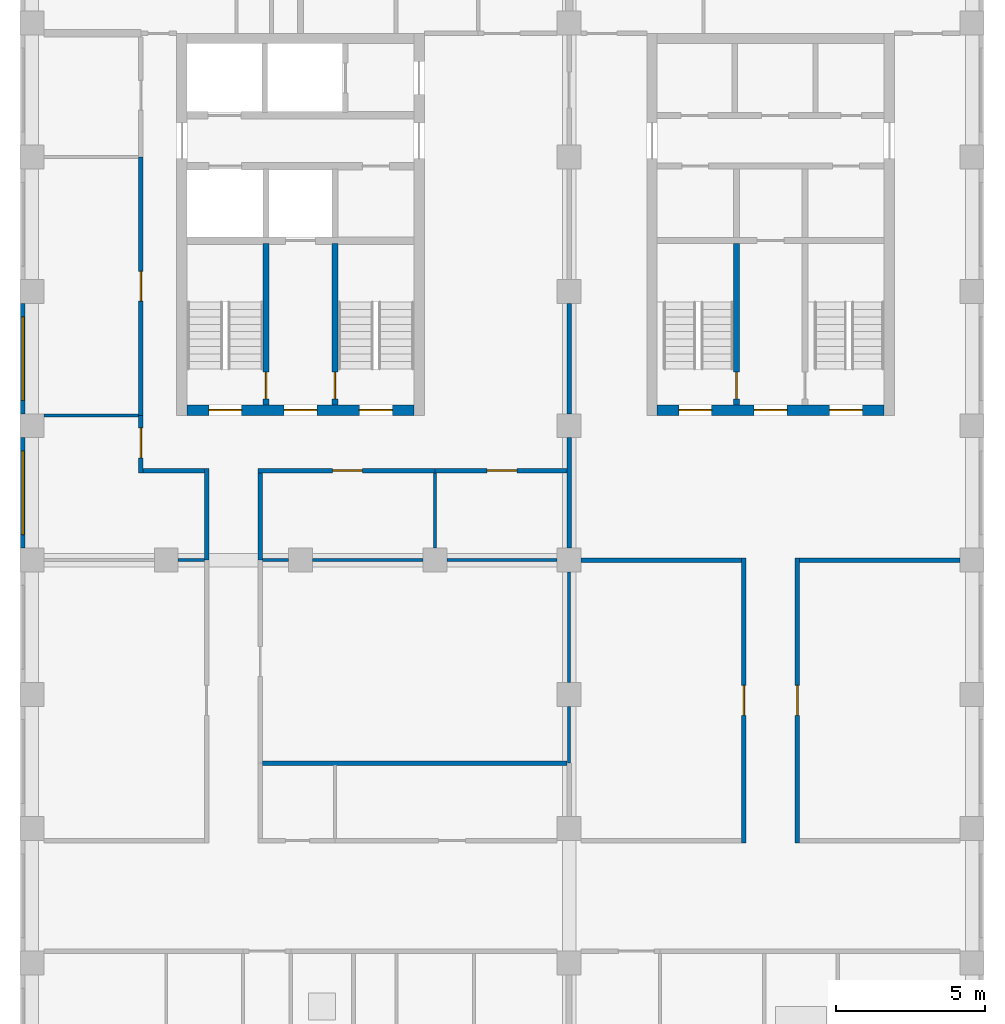
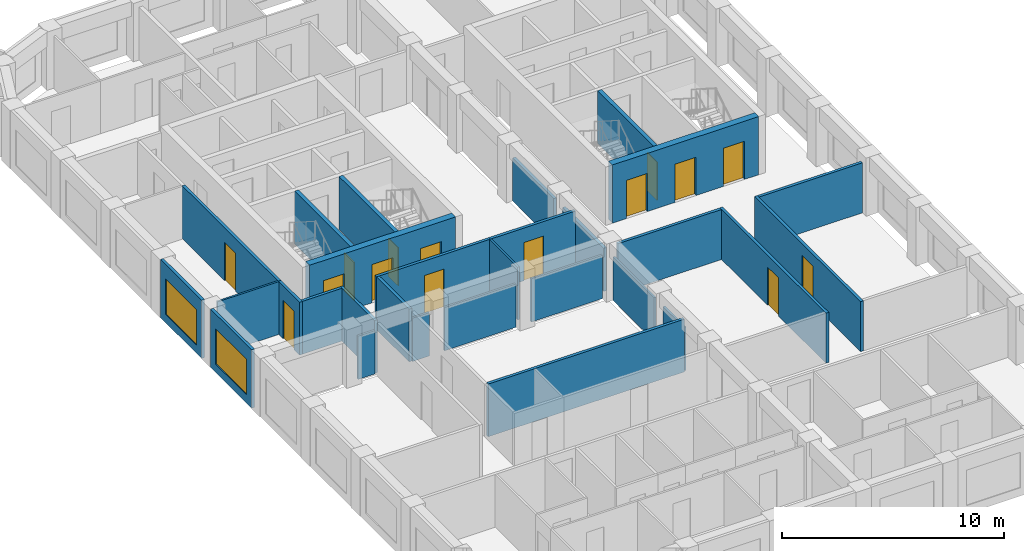
# One storey, part 4 of 10: 29 walls, 15 doors, 2 windows, 17 openings.
"""IFC4 building model written with IfcOpenShell, lengths in metres."""

from ifc_helpers import new_model, si_unit, direction, frame, frame_2d, origin, place, context, subcontext, project, spatial, rectangle, extrude, material, layer, layer_set, type_object, element, fill, save


model = new_model("IFC4")

# Units and contexts
model_context = context("Model", 3, precision=1e-05, world=origin(), true_north=direction((0.0, 1.0)))
body_context = subcontext(model_context, "Body", "Model", "MODEL_VIEW")
ifc_project = project(units=[si_unit("LENGTHUNIT", "METRE"), si_unit("AREAUNIT", "SQUARE_METRE"), si_unit("VOLUMEUNIT", "CUBIC_METRE"), si_unit("PLANEANGLEUNIT", "RADIAN"), si_unit("MASSUNIT", "GRAM", prefix="KILO")], contexts=[model_context])

# Site, building, storey
site_placement = place(None, origin())
site = spatial("IfcSite", under=ifc_project, at=site_placement, CompositionType="ELEMENT")
building_placement = place(site_placement, origin())
building = spatial("IfcBuilding", under=site, at=building_placement, Name="Girih Gate Residences", CompositionType="ELEMENT")
storey_placement = place(building_placement, frame((0.0, 0.0, 195.5)))
storey = spatial("IfcBuildingStorey", under=building, at=storey_placement, Name="L54", CompositionType="ELEMENT", Elevation=195.5)

# Walls
ifc_material_1 = material(Name="Gypsum board on steel studs", Category="steel")
ifc_layer_1 = layer(ifc_material_1, 0.14990234375)
ifc_layer_set_1 = layer_set([ifc_layer_1], Name="Compartment wall 150 mm")
wall_type_1 = type_object("IfcWallType", Name="Compartment wall 150 mm", PredefinedType="PARTITIONING", material=ifc_layer_set_1)
wall_1_placement = place(storey_placement, frame((7.72509765625, 15.699951171875, 0.0), z_axis=(0.0, 0.0, 1.0), x_axis=(1.0, 0.0, 0.0)))
element("IfcWall", 1, at=wall_1_placement, inside=storey, type_object=wall_type_1, Name="L54 partition", PredefinedType="PARTITIONING", context=body_context, shape_type="SweptSolid", body=[
    extrude(rectangle(XDim=10.199951171875, YDim=0.14990234375, at=frame_2d((5.10009765625, 0.0))), origin(), (0.0, 0.0, 1.0), 2.89990234375),
])
for number, where, z_axis, x_axis, name in (
    (2, (18.39990234375, 22.5, 0.0), (0.0, 0.0, 1.0), (1.0, 0.0, 0.0), "L54 partition"),
    (3, (25.72509765625, 22.5, 0.0), (0.0, 0.0, 1.0), (1.0, 0.0, 0.0), "L54 partition"),
):
    element("IfcWall", number, at=place(storey_placement, frame(where, z_axis=z_axis, x_axis=x_axis)), inside=storey, type_object=wall_type_1, Name=name, PredefinedType="PARTITIONING", context=body_context, shape_type="SweptSolid", body=[
        extrude(rectangle(XDim=5.375, YDim=0.14990234375, at=frame_2d((2.6875, 0.0))), origin(), (0.0, 0.0, 1.0), 2.75),
    ])
for number, where, z_axis, x_axis, name in (
    (4, (18.0, 27.39990234375, 0.0), (0.0, 0.0, 1.0), (0.0, 1.0, 0.0), "L54 partition"),
    (5, (18.0, 22.89990234375, 0.0), (0.0, 0.0, 1.0), (0.0, 1.0, 0.0), "L54 partition"),
):
    element("IfcWall", number, at=place(storey_placement, frame(where, z_axis=z_axis, x_axis=x_axis)), inside=storey, type_object=wall_type_1, Name=name, PredefinedType="PARTITIONING", context=body_context, shape_type="SweptSolid", body=[
        extrude(rectangle(XDim=3.7001953125, YDim=0.14990234375, at=frame_2d((1.85009765625, 0.0))), origin(), (0.0, 0.0, 1.0), 2.3798828125),
    ])

# Wall, opening, door
wall_2_placement = place(storey_placement, frame((23.85009765625, 13.02490234375, 0.0), z_axis=(0.0, 0.0, 1.0), x_axis=(0.0, 1.0, 0.0)))
wall_2 = element("IfcWall", 6, at=wall_2_placement, inside=storey, type_object=wall_type_1, Name="L54 partition", PredefinedType="PARTITIONING", context=body_context, shape_type="SweptSolid", body=[
    extrude(rectangle(XDim=9.550048828125, YDim=0.14990234375, at=frame_2d((4.77490234375, 0.0))), origin(), (0.0, 0.0, 1.0), 2.75),
])
opening_1_placement = place(wall_2_placement, frame((4.27490234375, 0.0, 0.0)))
opening_1 = element("IfcOpeningElement", 7, at=opening_1_placement, cuts=wall_2, Name="Opening A54-031", PredefinedType="OPENING", context=body_context, shape_type="SweptSolid", body=[
    extrude(rectangle(XDim=1.0, YDim=2.10009765625, at=frame_2d((0.5, 1.050048828125))), frame((0.0, 0.0849609375, 0.0), z_axis=(0.0, -1.0, 0.0), x_axis=(1.0, 0.0, 0.0)), (0.0, 0.0, 1.0), 0.169921875),
])
ifc_material_2 = material(Name="Timber, fire-rated core", Category="wood")
door_type_1 = type_object("IfcDoorType", Name="Amenity room door 1000x2100 FD30S", OperationType="NOTDEFINED", PredefinedType="DOOR", material=ifc_material_2)
door_1_placement = place(opening_1_placement, origin())
door_1 = element("IfcDoor", 8, at=door_1_placement, inside=storey, type_object=door_type_1, Name="Door A54-031", OperationType="SINGLE_SWING_RIGHT", OverallHeight=2.10009765625, OverallWidth=1.0, PredefinedType="DOOR", context=body_context, shape_type="SweptSolid", body=[
    extrude(rectangle(XDim=1.0, YDim=2.10009765625, at=frame_2d((0.5, 1.050048828125))), frame((0.0, 0.02490234375, 0.0), z_axis=(0.0, -1.0, 0.0), x_axis=(1.0, 0.0, 0.0)), (0.0, 0.0, 1.0), 0.050048828125),
])
fill(opening_1, door_1)

wall_3_placement = place(storey_placement, frame((25.64990234375, 22.574951171875, 0.0), z_axis=(0.0, 0.0, 1.0), x_axis=(0.0, -1.0, 0.0)))
wall_3 = element("IfcWall", 9, at=wall_3_placement, inside=storey, type_object=wall_type_1, Name="L54 partition", PredefinedType="PARTITIONING", context=body_context, shape_type="SweptSolid", body=[
    extrude(rectangle(XDim=9.550048828125, YDim=0.14990234375, at=frame_2d((4.77490234375, 0.0))), origin(), (0.0, 0.0, 1.0), 2.75),
])
opening_2_placement = place(wall_3_placement, frame((4.27490234375, 0.0, 0.0)))
opening_2 = element("IfcOpeningElement", 10, at=opening_2_placement, cuts=wall_3, Name="Opening A54-032", PredefinedType="OPENING", context=body_context, shape_type="SweptSolid", body=[
    extrude(rectangle(XDim=1.0, YDim=2.10009765625, at=frame_2d((0.5, 1.050048828125))), frame((0.0, 0.0849609375, 0.0), z_axis=(0.0, -1.0, 0.0), x_axis=(1.0, 0.0, 0.0)), (0.0, 0.0, 1.0), 0.169921875),
])
door_2_placement = place(opening_2_placement, origin())
door_2 = element("IfcDoor", 11, at=door_2_placement, inside=storey, type_object=door_type_1, Name="Door A54-032", OperationType="SINGLE_SWING_LEFT", OverallHeight=2.10009765625, OverallWidth=1.0, PredefinedType="DOOR", context=body_context, shape_type="SweptSolid", body=[
    extrude(rectangle(XDim=1.0, YDim=2.10009765625, at=frame_2d((0.5, 1.050048828125))), frame((0.0, 0.02490234375, 0.0), z_axis=(0.0, -1.0, 0.0), x_axis=(1.0, 0.0, 0.0)), (0.0, 0.0, 1.0), 0.050048828125),
])
fill(opening_2, door_2)

# Walls
wall_4_placement = place(storey_placement, frame((5.85009765625, 22.5, 0.0), z_axis=(0.0, 0.0, 1.0), x_axis=(0.0, 1.0, 0.0)))
element("IfcWall", 12, at=wall_4_placement, inside=storey, type_object=wall_type_1, Name="L54 partition", PredefinedType="PARTITIONING", context=body_context, shape_type="SweptSolid", body=[
    extrude(rectangle(XDim=3.074951171875, YDim=0.14990234375, at=frame_2d((1.53759765625, 0.0))), origin(), (0.0, 0.0, 1.0), 2.89990234375),
])
wall_5_placement = place(storey_placement, frame((3.72509765625, 25.5, 0.0), z_axis=(0.0, 0.0, 1.0), x_axis=(1.0, 0.0, 0.0)))
element("IfcWall", 13, at=wall_5_placement, inside=storey, type_object=wall_type_1, Name="L54 partition", PredefinedType="PARTITIONING", context=body_context, shape_type="SweptSolid", body=[
    extrude(rectangle(XDim=2.0498046875, YDim=0.14990234375, at=frame_2d((1.02490234375, 0.0))), origin(), (0.0, 0.0, 1.0), 2.89990234375),
])

# Wall, opening, door
wall_6_placement = place(storey_placement, frame((3.64990234375, 25.425048828125, 0.0), z_axis=(0.0, 0.0, 1.0), x_axis=(0.0, 1.0, 0.0)))
wall_6 = element("IfcWall", 14, at=wall_6_placement, inside=storey, type_object=wall_type_1, Name="L54 partition", PredefinedType="PARTITIONING", context=body_context, shape_type="SweptSolid", body=[
    extrude(rectangle(XDim=1.925048828125, YDim=0.14990234375, at=frame_2d((0.96240234375, 0.0))), origin(), (0.0, 0.0, 1.0), 2.89990234375),
])
opening_3_placement = place(wall_6_placement, frame((0.5, 0.0, 0.0)))
opening_3 = element("IfcOpeningElement", 15, at=opening_3_placement, cuts=wall_6, Name="Opening A54-035", PredefinedType="OPENING", context=body_context, shape_type="SweptSolid", body=[
    extrude(rectangle(XDim=1.0, YDim=2.10009765625, at=frame_2d((0.5, 1.050048828125))), frame((0.0, 0.0849609375, 0.0), z_axis=(0.0, -1.0, 0.0), x_axis=(1.0, 0.0, 0.0)), (0.0, 0.0, 1.0), 0.169921875),
])
door_3_placement = place(opening_3_placement, origin())
door_3 = element("IfcDoor", 16, at=door_3_placement, inside=storey, type_object=door_type_1, Name="Door A54-035", OperationType="SINGLE_SWING_RIGHT", OverallHeight=2.10009765625, OverallWidth=1.0, PredefinedType="DOOR", context=body_context, shape_type="SweptSolid", body=[
    extrude(rectangle(XDim=1.0, YDim=2.10009765625, at=frame_2d((0.5, 1.050048828125))), frame((0.0, 0.02490234375, 0.0), z_axis=(0.0, -1.0, 0.0), x_axis=(1.0, 0.0, 0.0)), (0.0, 0.0, 1.0), 0.050048828125),
])
fill(opening_3, door_3)

wall_7_placement = place(storey_placement, frame((13.5, 25.5, 0.0), z_axis=(0.0, 0.0, 1.0), x_axis=(-1.0, 0.0, 0.0)))
wall_7 = element("IfcWall", 17, at=wall_7_placement, inside=storey, type_object=wall_type_1, Name="L54 partition", PredefinedType="PARTITIONING", context=body_context, shape_type="SweptSolid", body=[
    extrude(rectangle(XDim=5.925048828125, YDim=0.14990234375, at=frame_2d((2.96240234375, 0.0))), origin(), (0.0, 0.0, 1.0), 2.89990234375),
])
opening_4_placement = place(wall_7_placement, frame((2.425048828125, 0.0, 0.0)))
opening_4 = element("IfcOpeningElement", 18, at=opening_4_placement, cuts=wall_7, Name="Opening A54-036", PredefinedType="OPENING", context=body_context, shape_type="SweptSolid", body=[
    extrude(rectangle(XDim=1.0, YDim=2.10009765625, at=frame_2d((0.5, 1.050048828125))), frame((0.0, 0.0849609375, 0.0), z_axis=(0.0, -1.0, 0.0), x_axis=(1.0, 0.0, 0.0)), (0.0, 0.0, 1.0), 0.169921875),
])
door_4_placement = place(opening_4_placement, origin())
door_4 = element("IfcDoor", 19, at=door_4_placement, inside=storey, type_object=door_type_1, Name="Door A54-036", OperationType="SINGLE_SWING_LEFT", OverallHeight=2.10009765625, OverallWidth=1.0, PredefinedType="DOOR", context=body_context, shape_type="SweptSolid", body=[
    extrude(rectangle(XDim=1.0, YDim=2.10009765625, at=frame_2d((0.5, 1.050048828125))), frame((0.0, 0.02490234375, 0.0), z_axis=(0.0, -1.0, 0.0), x_axis=(1.0, 0.0, 0.0)), (0.0, 0.0, 1.0), 0.050048828125),
])
fill(opening_4, door_4)

# Wall
wall_8_placement = place(storey_placement, frame((7.64990234375, 22.5, 0.0), z_axis=(0.0, 0.0, 1.0), x_axis=(0.0, 1.0, 0.0)))
element("IfcWall", 20, at=wall_8_placement, inside=storey, type_object=wall_type_1, Name="L54 partition", PredefinedType="PARTITIONING", context=body_context, shape_type="SweptSolid", body=[
    extrude(rectangle(XDim=2.925048828125, YDim=0.14990234375, at=frame_2d((1.46240234375, 0.0))), origin(), (0.0, 0.0, 1.0), 2.89990234375),
])

# Wall, opening, door
wall_9_placement = place(storey_placement, frame((17.925048828125, 25.5, 0.0), z_axis=(0.0, 0.0, 1.0), x_axis=(-1.0, 0.0, 0.0)))
wall_9 = element("IfcWall", 21, at=wall_9_placement, inside=storey, type_object=wall_type_1, Name="L54 partition", PredefinedType="PARTITIONING", context=body_context, shape_type="SweptSolid", body=[
    extrude(rectangle(XDim=4.425048828125, YDim=0.14990234375, at=frame_2d((2.21240234375, 0.0))), origin(), (0.0, 0.0, 1.0), 2.89990234375),
])
opening_5_placement = place(wall_9_placement, frame((1.675048828125, 0.0, 0.0)))
opening_5 = element("IfcOpeningElement", 22, at=opening_5_placement, cuts=wall_9, Name="Opening A54-037", PredefinedType="OPENING", context=body_context, shape_type="SweptSolid", body=[
    extrude(rectangle(XDim=1.0, YDim=2.10009765625, at=frame_2d((0.5, 1.050048828125))), frame((0.0, 0.0849609375, 0.0), z_axis=(0.0, -1.0, 0.0), x_axis=(1.0, 0.0, 0.0)), (0.0, 0.0, 1.0), 0.169921875),
])
door_5_placement = place(opening_5_placement, origin())
door_5 = element("IfcDoor", 23, at=door_5_placement, inside=storey, type_object=door_type_1, Name="Door A54-037", OperationType="SINGLE_SWING_LEFT", OverallHeight=2.10009765625, OverallWidth=1.0, PredefinedType="DOOR", context=body_context, shape_type="SweptSolid", body=[
    extrude(rectangle(XDim=1.0, YDim=2.10009765625, at=frame_2d((0.5, 1.050048828125))), frame((0.0, 0.02490234375, 0.0), z_axis=(0.0, -1.0, 0.0), x_axis=(1.0, 0.0, 0.0)), (0.0, 0.0, 1.0), 0.050048828125),
])
fill(opening_5, door_5)

wall_10_placement = place(storey_placement, frame((3.64990234375, 27.35009765625, 0.0), z_axis=(0.0, 0.0, 1.0), x_axis=(0.0, 1.0, 0.0)))
wall_10 = element("IfcWall", 24, at=wall_10_placement, inside=storey, type_object=wall_type_1, Name="L54 partition", PredefinedType="PARTITIONING", context=body_context, shape_type="SweptSolid", body=[
    extrude(rectangle(XDim=8.64990234375, YDim=0.14990234375, at=frame_2d((4.324951171875, 0.0))), origin(), (0.0, 0.0, 1.0), 2.89990234375),
])
opening_6_placement = place(wall_10_placement, frame((3.824951171875, 0.0, 0.0)))
opening_6 = element("IfcOpeningElement", 25, at=opening_6_placement, cuts=wall_10, Name="Opening A54-038", PredefinedType="OPENING", context=body_context, shape_type="SweptSolid", body=[
    extrude(rectangle(XDim=1.0, YDim=2.10009765625, at=frame_2d((0.5, 1.050048828125))), frame((0.0, 0.0849609375, 0.0), z_axis=(0.0, -1.0, 0.0), x_axis=(1.0, 0.0, 0.0)), (0.0, 0.0, 1.0), 0.169921875),
])
door_6_placement = place(opening_6_placement, origin())
door_6 = element("IfcDoor", 26, at=door_6_placement, inside=storey, type_object=door_type_1, Name="Door A54-038", OperationType="SINGLE_SWING_RIGHT", OverallHeight=2.10009765625, OverallWidth=1.0, PredefinedType="DOOR", context=body_context, shape_type="SweptSolid", body=[
    extrude(rectangle(XDim=1.0, YDim=2.10009765625, at=frame_2d((0.5, 1.050048828125))), frame((0.0, 0.02490234375, 0.0), z_axis=(0.0, -1.0, 0.0), x_axis=(1.0, 0.0, 0.0)), (0.0, 0.0, 1.0), 0.050048828125),
])
fill(opening_6, door_6)

# Wall, openings, doors
ifc_material_3 = material(Name="Concrete C60/75", Category="concrete")
ifc_layer_2 = layer(ifc_material_3, 0.35009765625)
ifc_layer_set_2 = layer_set([ifc_layer_2], Name="Core wall RC 350 Concrete C60/75")
wall_type_2 = type_object("IfcWallType", Name="Core wall RC 350 Concrete C60/75", PredefinedType="SOLIDWALL", material=ifc_layer_set_2)
wall_11_placement = place(storey_placement, frame((5.199951171875, 27.52490234375, 0.0), z_axis=(0.0, 0.0, 1.0), x_axis=(1.0, 0.0, 0.0)))
wall_11 = element("IfcWall", 27, at=wall_11_placement, inside=storey, type_object=wall_type_2, Name="Core wall W-S L54", PredefinedType="SOLIDWALL", context=body_context, shape_type="SweptSolid", body=[
    extrude(rectangle(XDim=7.60009765625, YDim=0.35009765625, at=frame_2d((3.800048828125, 0.0))), origin(), (0.0, 0.0, 1.0), 3.199951171875),
])
opening_7_placement = place(wall_11_placement, frame((0.72509765625, 0.0, 0.0)))
opening_7 = element("IfcOpeningElement", 28, at=opening_7_placement, cuts=wall_11, Name="Opening D-L54-W-008", PredefinedType="OPENING", context=body_context, shape_type="SweptSolid", body=[
    extrude(rectangle(XDim=1.10009765625, YDim=2.10009765625, at=frame_2d((0.550048828125, 1.050048828125))), frame((0.0, 0.18505859375, 0.0), z_axis=(0.0, -1.0, 0.0), x_axis=(1.0, 0.0, 0.0)), (0.0, 0.0, 1.0), 0.3701171875),
])
opening_8_placement = place(wall_11_placement, frame((3.25, 0.0, 0.0)))
opening_8 = element("IfcOpeningElement", 29, at=opening_8_placement, cuts=wall_11, Name="Opening D-L54-W-009", PredefinedType="OPENING", context=body_context, shape_type="SweptSolid", body=[
    extrude(rectangle(XDim=1.10009765625, YDim=2.10009765625, at=frame_2d((0.550048828125, 1.050048828125))), frame((0.0, 0.18505859375, 0.0), z_axis=(0.0, -1.0, 0.0), x_axis=(1.0, 0.0, 0.0)), (0.0, 0.0, 1.0), 0.3701171875),
])
opening_9_placement = place(wall_11_placement, frame((5.77490234375, 0.0, 0.0)))
opening_9 = element("IfcOpeningElement", 30, at=opening_9_placement, cuts=wall_11, Name="Opening D-L54-W-010", PredefinedType="OPENING", context=body_context, shape_type="SweptSolid", body=[
    extrude(rectangle(XDim=1.10009765625, YDim=2.10009765625, at=frame_2d((0.550048828125, 1.050048828125))), frame((0.0, 0.18505859375, 0.0), z_axis=(0.0, -1.0, 0.0), x_axis=(1.0, 0.0, 0.0)), (0.0, 0.0, 1.0), 0.3701171875),
])
ifc_material_4 = material(Name="Painted steel, fire-resisting", Category="steel")
door_type_2 = type_object("IfcDoorType", Name="Fire door 1100x2100", OperationType="SINGLE_SWING_LEFT", PredefinedType="DOOR", material=ifc_material_4)
door_7_placement = place(opening_7_placement, origin())
door_7 = element("IfcDoor", 31, at=door_7_placement, inside=storey, type_object=door_type_2, Name="L54 W core door sta-out", OperationType="SINGLE_SWING_LEFT", OverallHeight=2.10009765625, OverallWidth=1.10009765625, PredefinedType="DOOR", context=body_context, shape_type="SweptSolid", body=[
    extrude(rectangle(XDim=1.10009765625, YDim=2.10009765625, at=frame_2d((0.550048828125, 1.050048828125))), frame((0.0, 0.02490234375, 0.0), z_axis=(0.0, -1.0, 0.0), x_axis=(1.0, 0.0, 0.0)), (0.0, 0.0, 1.0), 0.050048828125),
])
fill(opening_7, door_7)
door_8_placement = place(opening_8_placement, origin())
door_8 = element("IfcDoor", 32, at=door_8_placement, inside=storey, type_object=door_type_2, Name="L54 W core door ffl-out", OperationType="SINGLE_SWING_LEFT", OverallHeight=2.10009765625, OverallWidth=1.10009765625, PredefinedType="DOOR", context=body_context, shape_type="SweptSolid", body=[
    extrude(rectangle(XDim=1.10009765625, YDim=2.10009765625, at=frame_2d((0.550048828125, 1.050048828125))), frame((0.0, 0.02490234375, 0.0), z_axis=(0.0, -1.0, 0.0), x_axis=(1.0, 0.0, 0.0)), (0.0, 0.0, 1.0), 0.050048828125),
])
fill(opening_8, door_8)
door_9_placement = place(opening_9_placement, origin())
door_9 = element("IfcDoor", 33, at=door_9_placement, inside=storey, type_object=door_type_2, Name="L54 W core door stb-out", OperationType="SINGLE_SWING_LEFT", OverallHeight=2.10009765625, OverallWidth=1.10009765625, PredefinedType="DOOR", context=body_context, shape_type="SweptSolid", body=[
    extrude(rectangle(XDim=1.10009765625, YDim=2.10009765625, at=frame_2d((0.550048828125, 1.050048828125))), frame((0.0, 0.02490234375, 0.0), z_axis=(0.0, -1.0, 0.0), x_axis=(1.0, 0.0, 0.0)), (0.0, 0.0, 1.0), 0.050048828125),
])
fill(opening_9, door_9)

# Walls
ifc_layer_3 = layer(ifc_material_1, 0.10009765625)
ifc_layer_set_3 = layer_set([ifc_layer_3], Name="Partition 100 mm")
wall_type_3 = type_object("IfcWallType", Name="Partition 100 mm", PredefinedType="PARTITIONING", material=ifc_layer_set_3)
wall_12_placement = place(storey_placement, frame((18.0, 18.39990234375, 0.0), z_axis=(0.0, 0.0, 1.0), x_axis=(0.0, 1.0, 0.0)))
element("IfcWall", 34, at=wall_12_placement, inside=storey, type_object=wall_type_3, Name="L54 partition", PredefinedType="PARTITIONING", context=body_context, shape_type="SweptSolid", body=[
    extrude(rectangle(XDim=3.7001953125, YDim=0.10009765625, at=frame_2d((1.85009765625, 0.0))), origin(), (0.0, 0.0, 1.0), 2.3798828125),
])
wall_13_placement = place(storey_placement, frame((18.0, 15.699951171875, 0.0), z_axis=(0.0, 0.0, 1.0), x_axis=(0.0, 1.0, 0.0)))
element("IfcWall", 35, at=wall_13_placement, inside=storey, type_object=wall_type_3, Name="L54 partition", PredefinedType="PARTITIONING", context=body_context, shape_type="SweptSolid", body=[
    extrude(rectangle(XDim=1.900146484375, YDim=0.10009765625, at=frame_2d((0.9501953125, 0.0))), origin(), (0.0, 0.0, 1.0), 2.3798828125),
])
wall_14_placement = place(storey_placement, frame((7.72509765625, 22.5, 0.0), z_axis=(0.0, 0.0, 1.0), x_axis=(1.0, 0.0, 0.0)))
element("IfcWall", 36, at=wall_14_placement, inside=storey, type_object=wall_type_3, Name="L54 partition", PredefinedType="PARTITIONING", context=body_context, shape_type="SweptSolid", body=[
    extrude(rectangle(XDim=0.875, YDim=0.10009765625, at=frame_2d((0.4375, 0.0))), origin(), (0.0, 0.0, 1.0), 2.3798828125),
])
for number, where, z_axis, x_axis, name in (
    (37, (9.39990234375, 22.5, 0.0), (0.0, 0.0, 1.0), (1.0, 0.0, 0.0), "L54 partition"),
    (38, (13.89990234375, 22.5, 0.0), (0.0, 0.0, 1.0), (1.0, 0.0, 0.0), "L54 partition"),
):
    element("IfcWall", number, at=place(storey_placement, frame(where, z_axis=z_axis, x_axis=x_axis)), inside=storey, type_object=wall_type_3, Name=name, PredefinedType="PARTITIONING", context=body_context, shape_type="SweptSolid", body=[
        extrude(rectangle(XDim=3.7001953125, YDim=0.10009765625, at=frame_2d((1.85009765625, 0.0))), origin(), (0.0, 0.0, 1.0), 2.3798828125),
    ])
wall_15_placement = place(storey_placement, frame((0.39990234375, 27.35009765625, 0.0), z_axis=(0.0, 0.0, 1.0), x_axis=(1.0, 0.0, 0.0)))
element("IfcWall", 39, at=wall_15_placement, inside=storey, type_object=wall_type_3, Name="L54 partition", PredefinedType="PARTITIONING", context=body_context, shape_type="SweptSolid", body=[
    extrude(rectangle(XDim=3.175048828125, YDim=0.10009765625, at=frame_2d((1.58740234375, 0.0))), origin(), (0.0, 0.0, 1.0), 2.89990234375),
])
wall_16_placement = place(storey_placement, frame((4.89990234375, 22.5, 0.0), z_axis=(0.0, 0.0, 1.0), x_axis=(1.0, 0.0, 0.0)))
element("IfcWall", 40, at=wall_16_placement, inside=storey, type_object=wall_type_3, Name="L54 partition", PredefinedType="PARTITIONING", context=body_context, shape_type="SweptSolid", body=[
    extrude(rectangle(XDim=0.875, YDim=0.10009765625, at=frame_2d((0.4375, 0.0))), origin(), (0.0, 0.0, 1.0), 2.3798828125),
])
wall_17_placement = place(storey_placement, frame((13.5, 22.89990234375, 0.0), z_axis=(0.0, 0.0, 1.0), x_axis=(0.0, 1.0, 0.0)))
element("IfcWall", 41, at=wall_17_placement, inside=storey, type_object=wall_type_3, Name="L54 partition", PredefinedType="PARTITIONING", context=body_context, shape_type="SweptSolid", body=[
    extrude(rectangle(XDim=2.525146484375, YDim=0.10009765625, at=frame_2d((1.2626953125, 0.0))), origin(), (0.0, 0.0, 1.0), 2.89990234375),
])

# Wall, opening, window
ifc_material_5 = material(Name="Precast concrete C50/60", Category="concrete")
ifc_layer_4 = layer(ifc_material_5, 0.050048828125, Name="Outer leaf")
ifc_material_6 = material(Name="Rigid PIR insulation")
ifc_layer_5 = layer(ifc_material_6, 0.06005859375, Name="Insulation")
ifc_material_7 = material(Name="Precast concrete C40/50", Category="concrete")
ifc_layer_6 = layer(ifc_material_7, 0.0400390625, Name="Inner leaf")
ifc_layer_set_4 = layer_set([ifc_layer_4, ifc_layer_5, ifc_layer_6], Name="Precast concrete C50/60 external wall 150")
wall_type_4 = type_object("IfcWallType", Name="Precast concrete C50/60 external wall 150", PredefinedType="SOLIDWALL", material=ifc_layer_set_4)
wall_18_placement = place(storey_placement, frame((-0.300048828125, 27.39990234375, 0.0), z_axis=(0.0, 0.0, 1.0), x_axis=(0.0, 1.0, 0.0)))
wall_18 = element("IfcWall", 42, at=wall_18_placement, inside=storey, type_object=wall_type_4, Name="External wall W0000_0450.3", PredefinedType="SOLIDWALL", context=body_context, shape_type="SweptSolid", body=[
    extrude(rectangle(XDim=3.7001953125, YDim=0.14990234375, at=frame_2d((1.85009765625, 0.0))), origin(), (0.0, 0.0, 1.0), 3.199951171875),
])
opening_10_placement = place(wall_18_placement, frame((0.449951171875, 0.0, 0.449951171875)))
opening_10 = element("IfcOpeningElement", 43, at=opening_10_placement, cuts=wall_18, Name="Opening W-1B", PredefinedType="OPENING", context=body_context, shape_type="SweptSolid", body=[
    extrude(rectangle(XDim=2.800048828125, YDim=1.949951171875, at=frame_2d((1.39990234375, 0.97509765625))), frame((0.0, 0.0849609375, 0.0), z_axis=(0.0, -1.0, 0.0), x_axis=(1.0, 0.0, 0.0)), (0.0, 0.0, 1.0), 0.169921875),
])
ifc_material_8 = material(Name="Double glazing in aluminium frame", Category="aluminium")
window_type = type_object("IfcWindowType", Name="Window W-1B 2800x1950", PartitioningType="SINGLE_PANEL", PredefinedType="WINDOW", material=ifc_material_8)
window_1_placement = place(opening_10_placement, origin())
window_1 = element("IfcWindow", 44, at=window_1_placement, inside=storey, type_object=window_type, Name="Window W-1B W0000_0450.3", OverallHeight=1.949951171875, OverallWidth=2.800048828125, PartitioningType="SINGLE_PANEL", PredefinedType="WINDOW", context=body_context, shape_type="SweptSolid", body=[
    extrude(rectangle(XDim=2.800048828125, YDim=1.949951171875, at=frame_2d((1.39990234375, 0.97509765625))), frame((0.0, 0.030029296875, 0.0), z_axis=(0.0, -1.0, 0.0), x_axis=(1.0, 0.0, 0.0)), (0.0, 0.0, 1.0), 0.06005859375),
])
fill(opening_10, window_1)

wall_19_placement = place(storey_placement, frame((-0.300048828125, 22.89990234375, 0.0), z_axis=(0.0, 0.0, 1.0), x_axis=(0.0, 1.0, 0.0)))
wall_19 = element("IfcWall", 45, at=wall_19_placement, inside=storey, type_object=wall_type_4, Name="External wall W0000_0450.4", PredefinedType="SOLIDWALL", context=body_context, shape_type="SweptSolid", body=[
    extrude(rectangle(XDim=3.7001953125, YDim=0.14990234375, at=frame_2d((1.85009765625, 0.0))), origin(), (0.0, 0.0, 1.0), 3.199951171875),
])
opening_11_placement = place(wall_19_placement, frame((0.449951171875, 0.0, 0.449951171875)))
opening_11 = element("IfcOpeningElement", 46, at=opening_11_placement, cuts=wall_19, Name="Opening W-1B", PredefinedType="OPENING", context=body_context, shape_type="SweptSolid", body=[
    extrude(rectangle(XDim=2.800048828125, YDim=1.949951171875, at=frame_2d((1.39990234375, 0.97509765625))), frame((0.0, 0.0849609375, 0.0), z_axis=(0.0, -1.0, 0.0), x_axis=(1.0, 0.0, 0.0)), (0.0, 0.0, 1.0), 0.169921875),
])
window_2_placement = place(opening_11_placement, origin())
window_2 = element("IfcWindow", 47, at=window_2_placement, inside=storey, type_object=window_type, Name="Window W-1B W0000_0450.4", OverallHeight=1.949951171875, OverallWidth=2.800048828125, PartitioningType="SINGLE_PANEL", PredefinedType="WINDOW", context=body_context, shape_type="SweptSolid", body=[
    extrude(rectangle(XDim=2.800048828125, YDim=1.949951171875, at=frame_2d((1.39990234375, 0.97509765625))), frame((0.0, 0.030029296875, 0.0), z_axis=(0.0, -1.0, 0.0), x_axis=(1.0, 0.0, 0.0)), (0.0, 0.0, 1.0), 0.06005859375),
])
fill(opening_11, window_2)

# Wall, opening, door
ifc_material_9 = material(Name="Concrete C40/50", Category="concrete")
ifc_layer_7 = layer(ifc_material_9, 0.199951171875)
ifc_layer_set_5 = layer_set([ifc_layer_7], Name="Shaft wall 200")
wall_type_5 = type_object("IfcWallType", Name="Shaft wall 200", PredefinedType="SOLIDWALL", material=ifc_layer_set_5)
wall_20_placement = place(storey_placement, frame((7.85009765625, 27.699951171875, 0.0), z_axis=(0.0, 0.0, 1.0), x_axis=(0.0, 1.0, 0.0)))
wall_20 = element("IfcWall", 48, at=wall_20_placement, inside=storey, type_object=wall_type_5, Name="L54 W core wall V1a", PredefinedType="SOLIDWALL", context=body_context, shape_type="SweptSolid", body=[
    extrude(rectangle(XDim=5.400146484375, YDim=0.199951171875, at=frame_2d((2.7001953125, 0.0))), origin(), (0.0, 0.0, 1.0), 2.89990234375),
])
opening_12_placement = place(wall_20_placement, frame((0.199951171875, 0.0, 0.0)))
opening_12 = element("IfcOpeningElement", 49, at=opening_12_placement, cuts=wall_20, Name="Opening D-L54-W-001", PredefinedType="OPENING", context=body_context, shape_type="SweptSolid", body=[
    extrude(rectangle(XDim=0.89990234375, YDim=2.10009765625, at=frame_2d((0.449951171875, 1.050048828125))), frame((0.0, 0.10986328125, 0.0), z_axis=(0.0, -1.0, 0.0), x_axis=(1.0, 0.0, 0.0)), (0.0, 0.0, 1.0), 0.219970703125),
])
door_type_3 = type_object("IfcDoorType", Name="Fire door 900x2100", OperationType="SINGLE_SWING_LEFT", PredefinedType="DOOR", material=ifc_material_4)
door_10_placement = place(opening_12_placement, origin())
door_10 = element("IfcDoor", 50, at=door_10_placement, inside=storey, type_object=door_type_3, Name="L54 W door stair 1 to firefighting lobby", OperationType="SINGLE_SWING_LEFT", OverallHeight=2.10009765625, OverallWidth=0.89990234375, PredefinedType="DOOR", context=body_context, shape_type="SweptSolid", body=[
    extrude(rectangle(XDim=0.89990234375, YDim=2.10009765625, at=frame_2d((0.449951171875, 1.050048828125))), frame((0.0, 0.02490234375, 0.0), z_axis=(0.0, -1.0, 0.0), x_axis=(1.0, 0.0, 0.0)), (0.0, 0.0, 1.0), 0.050048828125),
])
fill(opening_12, door_10)

wall_21_placement = place(storey_placement, frame((10.14990234375, 27.699951171875, 0.0), z_axis=(0.0, 0.0, 1.0), x_axis=(0.0, 1.0, 0.0)))
wall_21 = element("IfcWall", 51, at=wall_21_placement, inside=storey, type_object=wall_type_5, Name="L54 W core wall V2a", PredefinedType="SOLIDWALL", context=body_context, shape_type="SweptSolid", body=[
    extrude(rectangle(XDim=5.400146484375, YDim=0.199951171875, at=frame_2d((2.7001953125, 0.0))), origin(), (0.0, 0.0, 1.0), 2.89990234375),
])
opening_13_placement = place(wall_21_placement, frame((0.199951171875, 0.0, 0.0)))
opening_13 = element("IfcOpeningElement", 52, at=opening_13_placement, cuts=wall_21, Name="Opening D-L54-W-002", PredefinedType="OPENING", context=body_context, shape_type="SweptSolid", body=[
    extrude(rectangle(XDim=0.89990234375, YDim=2.10009765625, at=frame_2d((0.449951171875, 1.050048828125))), frame((0.0, 0.10986328125, 0.0), z_axis=(0.0, -1.0, 0.0), x_axis=(1.0, 0.0, 0.0)), (0.0, 0.0, 1.0), 0.219970703125),
])
door_11_placement = place(opening_13_placement, origin())
door_11 = element("IfcDoor", 53, at=door_11_placement, inside=storey, type_object=door_type_3, Name="L54 W door stair 2 to firefighting lobby", OperationType="SINGLE_SWING_LEFT", OverallHeight=2.10009765625, OverallWidth=0.89990234375, PredefinedType="DOOR", context=body_context, shape_type="SweptSolid", body=[
    extrude(rectangle(XDim=0.89990234375, YDim=2.10009765625, at=frame_2d((0.449951171875, 1.050048828125))), frame((0.0, 0.02490234375, 0.0), z_axis=(0.0, -1.0, 0.0), x_axis=(1.0, 0.0, 0.0)), (0.0, 0.0, 1.0), 0.050048828125),
])
fill(opening_13, door_11)

wall_22_placement = place(storey_placement, frame((23.60009765625, 27.699951171875, 0.0), z_axis=(0.0, 0.0, 1.0), x_axis=(0.0, 1.0, 0.0)))
wall_22 = element("IfcWall", 54, at=wall_22_placement, inside=storey, type_object=wall_type_5, Name="L54 C core wall V1a", PredefinedType="SOLIDWALL", context=body_context, shape_type="SweptSolid", body=[
    extrude(rectangle(XDim=5.400146484375, YDim=0.199951171875, at=frame_2d((2.7001953125, 0.0))), origin(), (0.0, 0.0, 1.0), 2.89990234375),
])
opening_14_placement = place(wall_22_placement, frame((0.199951171875, 0.0, 0.0)))
opening_14 = element("IfcOpeningElement", 55, at=opening_14_placement, cuts=wall_22, Name="Opening D-L54-C-001", PredefinedType="OPENING", context=body_context, shape_type="SweptSolid", body=[
    extrude(rectangle(XDim=0.89990234375, YDim=2.10009765625, at=frame_2d((0.449951171875, 1.050048828125))), frame((0.0, 0.10986328125, 0.0), z_axis=(0.0, -1.0, 0.0), x_axis=(1.0, 0.0, 0.0)), (0.0, 0.0, 1.0), 0.219970703125),
])
door_12_placement = place(opening_14_placement, origin())
door_12 = element("IfcDoor", 56, at=door_12_placement, inside=storey, type_object=door_type_3, Name="L54 C door stair 1 to stair lobby", OperationType="SINGLE_SWING_LEFT", OverallHeight=2.10009765625, OverallWidth=0.89990234375, PredefinedType="DOOR", context=body_context, shape_type="SweptSolid", body=[
    extrude(rectangle(XDim=0.89990234375, YDim=2.10009765625, at=frame_2d((0.449951171875, 1.050048828125))), frame((0.0, 0.02490234375, 0.0), z_axis=(0.0, -1.0, 0.0), x_axis=(1.0, 0.0, 0.0)), (0.0, 0.0, 1.0), 0.050048828125),
])
fill(opening_14, door_12)

# Wall, openings, doors
ifc_layer_8 = layer(ifc_material_9, 0.35009765625)
ifc_layer_set_6 = layer_set([ifc_layer_8], Name="Stair core wall RC 350 Concrete C40/50")
wall_type_6 = type_object("IfcWallType", Name="Stair core wall RC 350 Concrete C40/50", PredefinedType="SOLIDWALL", material=ifc_layer_set_6)
wall_23_placement = place(storey_placement, frame((20.949951171875, 27.52490234375, 0.0), z_axis=(0.0, 0.0, 1.0), x_axis=(1.0, 0.0, 0.0)))
wall_23 = element("IfcWall", 57, at=wall_23_placement, inside=storey, type_object=wall_type_6, Name="Stair core wall C-S L54", PredefinedType="SOLIDWALL", context=body_context, shape_type="SweptSolid", body=[
    extrude(rectangle(XDim=7.60009765625, YDim=0.35009765625, at=frame_2d((3.800048828125, 0.0))), origin(), (0.0, 0.0, 1.0), 3.199951171875),
])
opening_15_placement = place(wall_23_placement, frame((0.72509765625, 0.0, 0.0)))
opening_15 = element("IfcOpeningElement", 58, at=opening_15_placement, cuts=wall_23, Name="Opening D-L54-C-009", PredefinedType="OPENING", context=body_context, shape_type="SweptSolid", body=[
    extrude(rectangle(XDim=1.10009765625, YDim=2.10009765625, at=frame_2d((0.550048828125, 1.050048828125))), frame((0.0, 0.18505859375, 0.0), z_axis=(0.0, -1.0, 0.0), x_axis=(1.0, 0.0, 0.0)), (0.0, 0.0, 1.0), 0.3701171875),
])
opening_16_placement = place(wall_23_placement, frame((3.25, 0.0, 0.0)))
opening_16 = element("IfcOpeningElement", 59, at=opening_16_placement, cuts=wall_23, Name="Opening D-L54-C-010", PredefinedType="OPENING", context=body_context, shape_type="SweptSolid", body=[
    extrude(rectangle(XDim=1.10009765625, YDim=2.10009765625, at=frame_2d((0.550048828125, 1.050048828125))), frame((0.0, 0.18505859375, 0.0), z_axis=(0.0, -1.0, 0.0), x_axis=(1.0, 0.0, 0.0)), (0.0, 0.0, 1.0), 0.3701171875),
])
opening_17_placement = place(wall_23_placement, frame((5.77490234375, 0.0, 0.0)))
opening_17 = element("IfcOpeningElement", 60, at=opening_17_placement, cuts=wall_23, Name="Opening D-L54-C-011", PredefinedType="OPENING", context=body_context, shape_type="SweptSolid", body=[
    extrude(rectangle(XDim=1.10009765625, YDim=2.10009765625, at=frame_2d((0.550048828125, 1.050048828125))), frame((0.0, 0.18505859375, 0.0), z_axis=(0.0, -1.0, 0.0), x_axis=(1.0, 0.0, 0.0)), (0.0, 0.0, 1.0), 0.3701171875),
])
door_13_placement = place(opening_15_placement, origin())
door_13 = element("IfcDoor", 61, at=door_13_placement, inside=storey, type_object=door_type_2, Name="L54 C core door sta-out", OperationType="SINGLE_SWING_LEFT", OverallHeight=2.10009765625, OverallWidth=1.10009765625, PredefinedType="DOOR", context=body_context, shape_type="SweptSolid", body=[
    extrude(rectangle(XDim=1.10009765625, YDim=2.10009765625, at=frame_2d((0.550048828125, 1.050048828125))), frame((0.0, 0.02490234375, 0.0), z_axis=(0.0, -1.0, 0.0), x_axis=(1.0, 0.0, 0.0)), (0.0, 0.0, 1.0), 0.050048828125),
])
fill(opening_15, door_13)
door_14_placement = place(opening_16_placement, origin())
door_14 = element("IfcDoor", 62, at=door_14_placement, inside=storey, type_object=door_type_2, Name="L54 C core door ffl-out", OperationType="SINGLE_SWING_LEFT", OverallHeight=2.10009765625, OverallWidth=1.10009765625, PredefinedType="DOOR", context=body_context, shape_type="SweptSolid", body=[
    extrude(rectangle(XDim=1.10009765625, YDim=2.10009765625, at=frame_2d((0.550048828125, 1.050048828125))), frame((0.0, 0.02490234375, 0.0), z_axis=(0.0, -1.0, 0.0), x_axis=(1.0, 0.0, 0.0)), (0.0, 0.0, 1.0), 0.050048828125),
])
fill(opening_16, door_14)
door_15_placement = place(opening_17_placement, origin())
door_15 = element("IfcDoor", 63, at=door_15_placement, inside=storey, type_object=door_type_2, Name="L54 C core door stb-out", OperationType="SINGLE_SWING_LEFT", OverallHeight=2.10009765625, OverallWidth=1.10009765625, PredefinedType="DOOR", context=body_context, shape_type="SweptSolid", body=[
    extrude(rectangle(XDim=1.10009765625, YDim=2.10009765625, at=frame_2d((0.550048828125, 1.050048828125))), frame((0.0, 0.02490234375, 0.0), z_axis=(0.0, -1.0, 0.0), x_axis=(1.0, 0.0, 0.0)), (0.0, 0.0, 1.0), 0.050048828125),
])
fill(opening_17, door_15)

save(model, "model.ifc")
